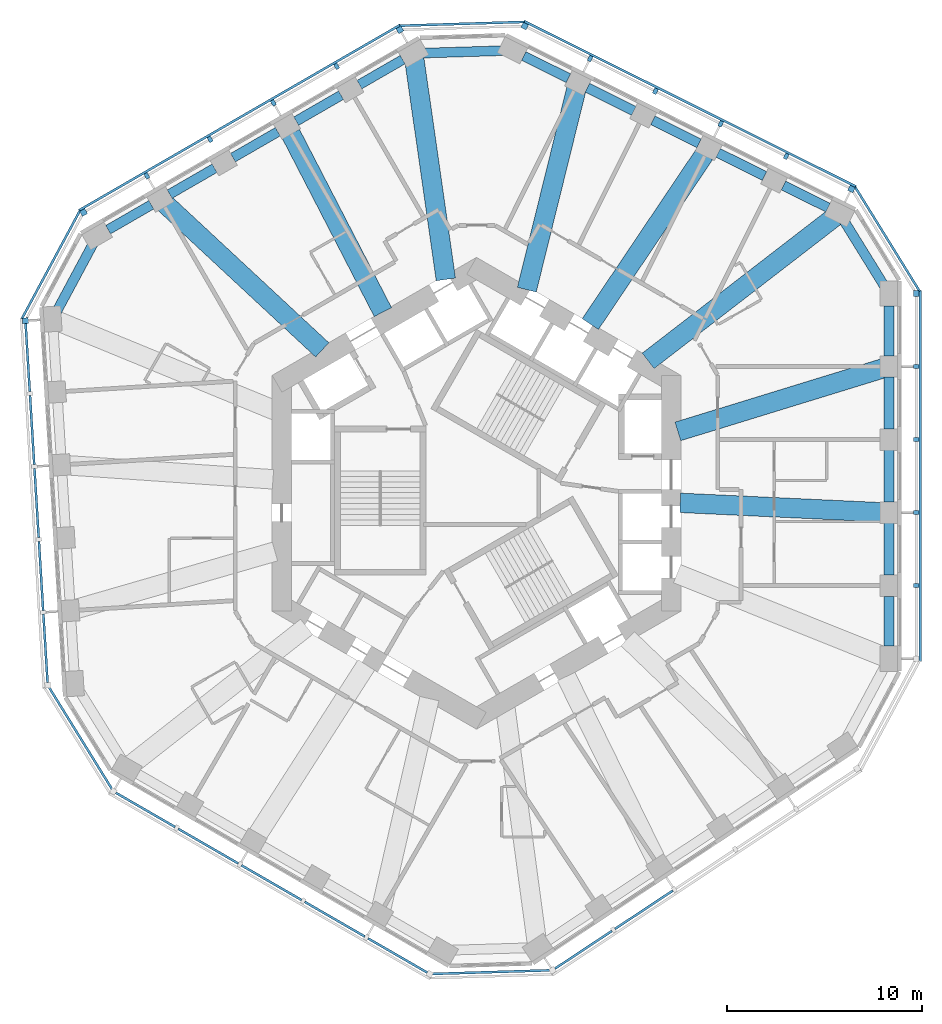
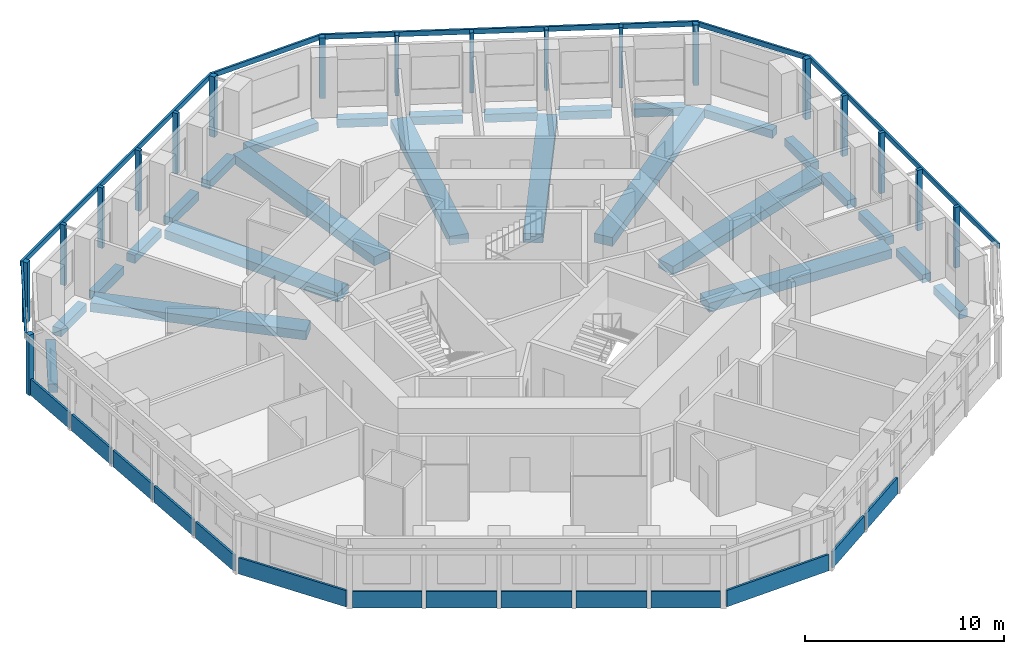
# One storey, part 2 of 11: 26 beams, 24 members, 14 plates, 11 elements without a shape of their own.
"""IFC4 building model written with IfcOpenShell, lengths in metres."""

import ifcopenshell
import ifcopenshell.guid

model = None  # the IFC model being written
_history = None  # IfcOwnerHistory: only IFC2X3 demands one
_inside = {}  # id of a spatial element -> (the spatial element, [elements in it])
_under = {}  # id of a project, library or spatial element -> (it, [spatial elements below it])
_declared = {}  # id of a project -> (the project, [libraries it declares])
_typed = {}  # id of a type object -> (the type object, [elements of that type])
_made_of = {}  # id of a material, layer set ... -> (it, [elements and type objects made of it])


def new_model(schema):
    """Start an empty IFC model of exactly this schema.

    Asked for "IFC4X3", IfcOpenShell would pick the latest addendum, in which some entities
    have other attributes; the version numbers below select the first issue.
    IFC2X3 requires an IfcOwnerHistory on every rooted entity: one is made here for all.
    """
    global model, _history
    if schema == "IFC4X3":
        model = ifcopenshell.file(schema_version=(4, 3, 0, 0))
    else:
        model = ifcopenshell.file(schema=schema)
    _inside.clear()
    _under.clear()
    _declared.clear()
    _typed.clear()
    _made_of.clear()
    _history = None
    if model.schema == "IFC2X3":
        org = make("IfcOrganization", Name="unknown")
        user = make(
            "IfcPersonAndOrganization",
            ThePerson=make("IfcPerson", FamilyName="unknown"),
            TheOrganization=org,
        )
        app = make(
            "IfcApplication",
            ApplicationDeveloper=org,
            Version="unknown",
            ApplicationFullName="unknown",
            ApplicationIdentifier="unknown",
        )
        _history = make(
            "IfcOwnerHistory",
            OwningUser=user,
            OwningApplication=app,
            ChangeAction="ADDED",
            CreationDate=0,
        )
    return model


def make(cls, **values):
    """One entity of the class cls with the attributes given. An attribute that is None is left unset."""
    return model.create_entity(
        cls, **{name: value for name, value in values.items() if value is not None}
    )


def rooted(cls, **values):
    """An entity with a GlobalId (a new one), such as an element, a storey or a relation."""
    return make(cls, GlobalId=ifcopenshell.guid.new(), OwnerHistory=_history, **values)


def si_unit(unit_type, name, prefix=None):
    """IfcSIUnit, for example si_unit("LENGTHUNIT", "METRE", prefix="MILLI")."""
    return make("IfcSIUnit", UnitType=unit_type, Prefix=prefix, Name=name)


def assignment(units):
    """IfcUnitAssignment: the units of a project."""
    return None if units is None else make("IfcUnitAssignment", Units=units)


def point(xyz):
    """IfcCartesianPoint."""
    return None if xyz is None else make("IfcCartesianPoint", Coordinates=xyz)


def direction(xyz):
    """IfcDirection."""
    return None if xyz is None else make("IfcDirection", DirectionRatios=xyz)


def frame(location, z_axis=None, x_axis=None):
    """IfcAxis2Placement3D, a coordinate frame: its origin and axes. An axis left out is left unset."""
    return make(
        "IfcAxis2Placement3D",
        Location=point(location),
        Axis=direction(z_axis),
        RefDirection=direction(x_axis),
    )


def frame_2d(location, x_axis=None):
    """IfcAxis2Placement2D, a coordinate frame in the plane: its origin and x axis."""
    return make(
        "IfcAxis2Placement2D", Location=point(location), RefDirection=direction(x_axis)
    )


def origin():
    """The frame at (0, 0, 0) with its axes left unset."""
    return frame((0.0, 0.0, 0.0))


def origin_2d():
    """The frame at (0, 0) in the plane with its x axis left unset."""
    return frame_2d((0.0, 0.0))


def place(relative_to, where):
    """IfcLocalPlacement: puts the frame where relative to a parent placement (None: the world)."""
    return make(
        "IfcLocalPlacement", PlacementRelTo=relative_to, RelativePlacement=where
    )


def context(
    kind, dimensions, precision=None, world=None, true_north=None, identifier=None
):
    """IfcGeometricRepresentationContext, for example the 3D "Model" context."""
    return make(
        "IfcGeometricRepresentationContext",
        ContextIdentifier=identifier,
        ContextType=kind,
        CoordinateSpaceDimension=dimensions,
        Precision=precision,
        WorldCoordinateSystem=world,
        TrueNorth=true_north,
    )


def subcontext(parent, identifier, kind, view, scale=None):
    """IfcGeometricRepresentationSubContext, for example "Body" below "Model"."""
    return make(
        "IfcGeometricRepresentationSubContext",
        ContextIdentifier=identifier,
        ContextType=kind,
        ParentContext=parent,
        TargetScale=scale,
        TargetView=view,
    )


def project(units=None, contexts=None):
    """IfcProject with its units and contexts."""
    return rooted(
        "IfcProject",
        Name="project",
        RepresentationContexts=contexts,
        UnitsInContext=assignment(units),
    )


def spatial(cls, under=None, at=None, **own):
    """A site, building, storey or space (cls), placed at a placement, below another one or the project."""
    s = rooted(cls, ObjectPlacement=at, **own)
    if under is not None:
        _under.setdefault(under.id(), (under, []))[1].append(s)
    return s


def profile(cls, at=None, kind="AREA", **sizes):
    """A parametric profile (cls). Its sizes go by their IFC names, for example OverallWidth=200.0."""
    return make(cls, ProfileType=kind, Position=at, **sizes)


def rectangle(**sizes):
    """IfcRectangleProfileDef."""
    return profile("IfcRectangleProfileDef", **sizes)


def extrude(swept, where, along, depth):
    """IfcExtrudedAreaSolid: the profile swept, set in the frame where, extruded along a direction by depth."""
    return make(
        "IfcExtrudedAreaSolid",
        SweptArea=swept,
        Position=where,
        ExtrudedDirection=direction(along),
        Depth=depth,
    )


def shape(context_of_items, identifier, shape_type, items):
    """IfcShapeRepresentation: the items that make up one representation, for example the "Body"."""
    return make(
        "IfcShapeRepresentation",
        ContextOfItems=context_of_items,
        RepresentationIdentifier=identifier,
        RepresentationType=shape_type,
        Items=items,
    )


def material(Name=None, Category=None):
    """IfcMaterial."""
    return make("IfcMaterial", Name=Name, Category=Category)


def layer(
    of_material, thickness, ventilated=None, Name=None, Category=None, Priority=None
):
    """IfcMaterialLayer: one layer of a wall or slab, of a material (None: an air gap)."""
    return make(
        "IfcMaterialLayer",
        Material=of_material,
        LayerThickness=thickness,
        IsVentilated=ventilated,
        Name=Name,
        Category=Category,
        Priority=Priority,
    )


def layer_set(layers, Name=None):
    """IfcMaterialLayerSet."""
    return make("IfcMaterialLayerSet", MaterialLayers=layers, LayerSetName=Name)


def material_profile(
    of_material, cross_section, Name=None, Category=None, Priority=None
):
    """IfcMaterialProfile: a cross section and its material."""
    return make(
        "IfcMaterialProfile",
        Name=Name,
        Material=of_material,
        Profile=cross_section,
        Priority=Priority,
        Category=Category,
    )


def profile_set(profiles, Name=None, composite=None):
    """IfcMaterialProfileSet."""
    return make(
        "IfcMaterialProfileSet",
        Name=Name,
        MaterialProfiles=profiles,
        CompositeProfile=composite,
    )


def made_of(thing, what):
    """Note that an element or type object is made of a material, layer set ...; save() writes the relation."""
    if what is not None:
        _made_of.setdefault(what.id(), (what, []))[1].append(thing)
    return thing


def type_object(cls, material=None, **own):
    """A type object (cls), such as IfcWallType, which elements share."""
    return made_of(rooted(cls, **own), material)


def element(
    cls,
    number,
    at=None,
    inside=None,
    cuts=None,
    type_object=None,
    material=None,
    context=None,
    identifier="Body",
    shape_type=None,
    held_by="IfcProductDefinitionShape",
    body=None,
    shapes=None,
    **own,
):
    """One element of the class cls, such as IfcWall. Its Tag is "e" and its number.

    at: its placement. inside: the storey or other place that contains it. cuts: it is an
    opening in that element (IfcRelVoidsElement). A single representation is given by context,
    identifier, shape_type and body (its items); several are given by shapes. held_by: the class
    of the entity that holds the representations. save() writes the other relations.
    """
    e = rooted(cls, Tag="e%d" % number, ObjectPlacement=at, **own)
    if body is not None:
        shapes = [shape(context, identifier, shape_type, body)]
    if shapes is not None:
        e.Representation = make(held_by, Representations=shapes)
    if inside is not None:
        _inside.setdefault(inside.id(), (inside, []))[1].append(e)
    if cuts is not None:
        rooted(
            "IfcRelVoidsElement", RelatingBuildingElement=cuts, RelatedOpeningElement=e
        )
    if type_object is not None:
        _typed.setdefault(type_object.id(), (type_object, []))[1].append(e)
    return made_of(e, material)


def aggregate(whole, parts):
    """IfcRelAggregates: a whole, such as a stair, and the parts it consists of."""
    return rooted("IfcRelAggregates", RelatingObject=whole, RelatedObjects=parts)


def save(model, path):
    """Write the relations noted so far, then the file.

    IfcRelAggregates (storeys below a building ...), IfcRelContainedInSpatialStructure (elements
    in a storey), IfcRelDefinesByType, IfcRelAssociatesMaterial and IfcRelDeclares: one each for
    every whole, place, type object, material and project.
    """
    for whole, parts in _under.values():
        aggregate(whole, parts)
    for where, things in _inside.values():
        rooted(
            "IfcRelContainedInSpatialStructure",
            RelatedElements=things,
            RelatingStructure=where,
        )
    for kind, things in _typed.values():
        rooted("IfcRelDefinesByType", RelatedObjects=things, RelatingType=kind)
    for what, things in _made_of.values():
        rooted("IfcRelAssociatesMaterial", RelatedObjects=things, RelatingMaterial=what)
    for by, libraries in _declared.values():
        rooted("IfcRelDeclares", RelatingContext=by, RelatedDefinitions=libraries)
    model.write(path)


model = new_model("IFC4")

# Units and contexts
model_context = context("Model", 3, precision=1e-05, world=origin(), true_north=direction((0.0, 1.0)))
body_context = subcontext(model_context, "Body", "Model", "MODEL_VIEW")
ifc_project = project(units=[si_unit("LENGTHUNIT", "METRE"), si_unit("AREAUNIT", "SQUARE_METRE"), si_unit("VOLUMEUNIT", "CUBIC_METRE"), si_unit("PLANEANGLEUNIT", "RADIAN"), si_unit("MASSUNIT", "GRAM", prefix="KILO")], contexts=[model_context])

# Site, building, storey
site_placement = place(None, origin())
site = spatial("IfcSite", under=ifc_project, at=site_placement, CompositionType="ELEMENT")
building_placement = place(site_placement, origin())
building = spatial("IfcBuilding", under=site, at=building_placement, Name="Vanh Sen Convention Tower", CompositionType="ELEMENT")
storey_placement = place(building_placement, frame((0.0, 0.0, 131.800048828125)))
storey = spatial("IfcBuildingStorey", under=building, at=storey_placement, Name="L32", CompositionType="ELEMENT", Elevation=131.800048828125)

# Curtain wall, member
ifc_material_1 = material(Name="Concrete C50/60", Category="concrete")
curtain_wall_type = type_object("IfcCurtainWallType", Name="Outer skin office zone", PredefinedType="NOTDEFINED", material=ifc_material_1)
curtain_wall_1_placement = place(storey_placement, origin())
curtain_wall_1 = element("IfcCurtainWall", 1, at=curtain_wall_1_placement, inside=storey, type_object=curtain_wall_type, Name="OUTER SKIN E L32", PredefinedType="NOTDEFINED")
ifc_material_profile_1 = material_profile(ifc_material_1, rectangle(XDim=0.300048828125, YDim=0.300048828125, at=origin_2d()), Name="Outer skin precast corner fin 300 x 300")
ifc_profile_set_1 = profile_set([ifc_material_profile_1], Name="Concrete C50/60")
member_type_1 = type_object("IfcMemberType", Name="Outer skin precast corner fin 300 x 300", PredefinedType="MULLION", material=ifc_profile_set_1)
member_1_placement = place(storey_placement, frame((22.60009765625, 10.26953125, 0.0), z_axis=(0.0, 0.0, 1.0), x_axis=(0.0, 1.0, 0.0)))
member_1 = element("IfcMember", 2, at=member_1_placement, type_object=member_type_1, Name="OUTER SKIN CORNER FIN 6 E L32", PredefinedType="MULLION", context=body_context, shape_type="SweptSolid", body=[
    extrude(rectangle(XDim=0.300048828125, YDim=0.300048828125, at=origin_2d()), origin(), (0.0, 0.0, 1.0), 3.699951171875),
])

# Curtain wall, members
curtain_wall_2_placement = place(storey_placement, origin())
curtain_wall_2 = element("IfcCurtainWall", 3, at=curtain_wall_2_placement, inside=storey, type_object=curtain_wall_type, Name="OUTER SKIN NE L32", PredefinedType="NOTDEFINED")
member_2_placement = place(storey_placement, frame((19.274658203125, 15.643310546875, 0.0), z_axis=(0.0, 0.0, 1.0), x_axis=(-0.894934361602, 0.44619781311, 0.0)))
member_2 = element("IfcMember", 4, at=member_2_placement, type_object=member_type_1, Name="OUTER SKIN CORNER FIN 1 NE L32", PredefinedType="MULLION", context=body_context, shape_type="SweptSolid", body=[
    extrude(rectangle(XDim=0.300048828125, YDim=0.300048828125, at=origin_2d()), origin(), (0.0, 0.0, 1.0), 3.699951171875),
])
member_3_placement = place(storey_placement, frame((2.476318359375, 24.0185546875, 0.0), z_axis=(0.0, 0.0, 1.0), x_axis=(-0.894934361602, 0.44619781311, 0.0)))
member_3 = element("IfcMember", 5, at=member_3_placement, type_object=member_type_1, Name="OUTER SKIN CORNER FIN 6 NE L32", PredefinedType="MULLION", context=body_context, shape_type="SweptSolid", body=[
    extrude(rectangle(XDim=0.300048828125, YDim=0.300048828125, at=origin_2d()), origin(), (0.0, 0.0, 1.0), 3.699951171875),
])

curtain_wall_3_placement = place(storey_placement, origin())
curtain_wall_3 = element("IfcCurtainWall", 6, at=curtain_wall_3_placement, inside=storey, type_object=curtain_wall_type, Name="OUTER SKIN NW L32", PredefinedType="NOTDEFINED")
member_4_placement = place(storey_placement, frame((-3.93798828125, 23.822509765625, 0.0), z_axis=(0.0, 0.0, 1.0), x_axis=(-0.866025403784, -0.5, 0.0)))
member_4 = element("IfcMember", 7, at=member_4_placement, type_object=member_type_1, Name="OUTER SKIN CORNER FIN 1 NW L32", PredefinedType="MULLION", context=body_context, shape_type="SweptSolid", body=[
    extrude(rectangle(XDim=0.300048828125, YDim=0.300048828125, at=origin_2d()), origin(), (0.0, 0.0, 1.0), 3.699951171875),
])
member_5_placement = place(storey_placement, frame((-20.193603515625, 14.4375, 0.0), z_axis=(0.0, 0.0, 1.0), x_axis=(-0.866025403784, -0.5, 0.0)))
member_5 = element("IfcMember", 8, at=member_5_placement, type_object=member_type_1, Name="OUTER SKIN CORNER FIN 6 NW L32", PredefinedType="MULLION", context=body_context, shape_type="SweptSolid", body=[
    extrude(rectangle(XDim=0.300048828125, YDim=0.300048828125, at=origin_2d()), origin(), (0.0, 0.0, 1.0), 3.699951171875),
])

# Curtain wall, member
curtain_wall_4_placement = place(storey_placement, origin())
curtain_wall_4 = element("IfcCurtainWall", 9, at=curtain_wall_4_placement, inside=storey, type_object=curtain_wall_type, Name="OUTER SKIN W L32", PredefinedType="NOTDEFINED")
member_6_placement = place(storey_placement, frame((-23.184814453125, 8.87060546875, 0.0), z_axis=(0.0, 0.0, 1.0), x_axis=(0.061048539535, -0.998134798422, 0.0)))
member_6 = element("IfcMember", 10, at=member_6_placement, type_object=member_type_1, Name="OUTER SKIN CORNER FIN 1 W L32", PredefinedType="MULLION", context=body_context, shape_type="SweptSolid", body=[
    extrude(rectangle(XDim=0.300048828125, YDim=0.300048828125, at=origin_2d()), origin(), (0.0, 0.0, 1.0), 3.699951171875),
])

# Member
ifc_material_profile_2 = material_profile(ifc_material_1, rectangle(XDim=0.199951171875, YDim=0.300048828125, at=origin_2d()), Name="Outer skin precast fin 200 x 300")
ifc_profile_set_2 = profile_set([ifc_material_profile_2], Name="Concrete C50/60")
member_type_2 = type_object("IfcMemberType", Name="Outer skin precast fin 200 x 300", PredefinedType="MULLION", material=ifc_profile_set_2)
member_7_placement = place(storey_placement, frame((22.60009765625, -4.746826171875, 0.0), z_axis=(0.0, 0.0, 1.0), x_axis=(0.0, 1.0, 0.0)))
member_7 = element("IfcMember", 11, at=member_7_placement, type_object=member_type_2, Name="OUTER SKIN fin 2 E L32", PredefinedType="MULLION", context=body_context, shape_type="SweptSolid", body=[
    extrude(rectangle(XDim=0.199951171875, YDim=0.300048828125, at=origin_2d()), origin(), (0.0, 0.0, 1.0), 3.699951171875),
])

member_8_placement = place(storey_placement, frame((22.60009765625, -0.992919921875, 0.0), z_axis=(0.0, 0.0, 1.0), x_axis=(0.0, 1.0, 0.0)))
member_8 = element("IfcMember", 12, at=member_8_placement, type_object=member_type_2, Name="OUTER SKIN fin 3 E L32", PredefinedType="MULLION", context=body_context, shape_type="SweptSolid", body=[
    extrude(rectangle(XDim=0.199951171875, YDim=0.300048828125, at=origin_2d()), origin(), (0.0, 0.0, 1.0), 3.699951171875),
])

member_9_placement = place(storey_placement, frame((22.60009765625, 2.76123046875, 0.0), z_axis=(0.0, 0.0, 1.0), x_axis=(0.0, 1.0, 0.0)))
member_9 = element("IfcMember", 13, at=member_9_placement, type_object=member_type_2, Name="OUTER SKIN fin 4 E L32", PredefinedType="MULLION", context=body_context, shape_type="SweptSolid", body=[
    extrude(rectangle(XDim=0.199951171875, YDim=0.300048828125, at=origin_2d()), origin(), (0.0, 0.0, 1.0), 3.699951171875),
])

member_10_placement = place(storey_placement, frame((22.60009765625, 6.515380859375, 0.0), z_axis=(0.0, 0.0, 1.0), x_axis=(0.0, 1.0, 0.0)))
member_10 = element("IfcMember", 14, at=member_10_placement, type_object=member_type_2, Name="OUTER SKIN fin 5 E L32", PredefinedType="MULLION", context=body_context, shape_type="SweptSolid", body=[
    extrude(rectangle(XDim=0.199951171875, YDim=0.300048828125, at=origin_2d()), origin(), (0.0, 0.0, 1.0), 3.699951171875),
])

member_11_placement = place(storey_placement, frame((15.9150390625, 17.318359375, 0.0), z_axis=(0.0, 0.0, 1.0), x_axis=(-0.894934361602, 0.44619781311, 0.0)))
member_11 = element("IfcMember", 15, at=member_11_placement, type_object=member_type_2, Name="OUTER SKIN fin 2 NE L32", PredefinedType="MULLION", context=body_context, shape_type="SweptSolid", body=[
    extrude(rectangle(XDim=0.199951171875, YDim=0.300048828125, at=origin_2d()), origin(), (0.0, 0.0, 1.0), 3.699951171875),
])

member_12_placement = place(storey_placement, frame((12.555419921875, 18.993408203125, 0.0), z_axis=(0.0, 0.0, 1.0), x_axis=(-0.894934361602, 0.44619781311, 0.0)))
member_12 = element("IfcMember", 16, at=member_12_placement, type_object=member_type_2, Name="OUTER SKIN fin 3 NE L32", PredefinedType="MULLION", context=body_context, shape_type="SweptSolid", body=[
    extrude(rectangle(XDim=0.199951171875, YDim=0.300048828125, at=origin_2d()), origin(), (0.0, 0.0, 1.0), 3.699951171875),
])

member_13_placement = place(storey_placement, frame((9.195556640625, 20.66845703125, 0.0), z_axis=(0.0, 0.0, 1.0), x_axis=(-0.894934361602, 0.44619781311, 0.0)))
member_13 = element("IfcMember", 17, at=member_13_placement, type_object=member_type_2, Name="OUTER SKIN fin 4 NE L32", PredefinedType="MULLION", context=body_context, shape_type="SweptSolid", body=[
    extrude(rectangle(XDim=0.199951171875, YDim=0.300048828125, at=origin_2d()), origin(), (0.0, 0.0, 1.0), 3.699951171875),
])

member_14_placement = place(storey_placement, frame((5.8359375, 22.343505859375, 0.0), z_axis=(0.0, 0.0, 1.0), x_axis=(-0.894934361602, 0.44619781311, 0.0)))
member_14 = element("IfcMember", 18, at=member_14_placement, type_object=member_type_2, Name="OUTER SKIN fin 5 NE L32", PredefinedType="MULLION", context=body_context, shape_type="SweptSolid", body=[
    extrude(rectangle(XDim=0.199951171875, YDim=0.300048828125, at=origin_2d()), origin(), (0.0, 0.0, 1.0), 3.699951171875),
])

member_15_placement = place(storey_placement, frame((-7.189208984375, 21.945556640625, 0.0), z_axis=(0.0, 0.0, 1.0), x_axis=(-0.866025403784, -0.5, 0.0)))
member_15 = element("IfcMember", 19, at=member_15_placement, type_object=member_type_2, Name="OUTER SKIN fin 2 NW L32", PredefinedType="MULLION", context=body_context, shape_type="SweptSolid", body=[
    extrude(rectangle(XDim=0.199951171875, YDim=0.300048828125, at=origin_2d()), origin(), (0.0, 0.0, 1.0), 3.699951171875),
])

member_16_placement = place(storey_placement, frame((-10.440185546875, 20.068603515625, 0.0), z_axis=(0.0, 0.0, 1.0), x_axis=(-0.866025403784, -0.5, 0.0)))
member_16 = element("IfcMember", 20, at=member_16_placement, type_object=member_type_2, Name="OUTER SKIN fin 3 NW L32", PredefinedType="MULLION", context=body_context, shape_type="SweptSolid", body=[
    extrude(rectangle(XDim=0.199951171875, YDim=0.300048828125, at=origin_2d()), origin(), (0.0, 0.0, 1.0), 3.699951171875),
])

member_17_placement = place(storey_placement, frame((-13.69140625, 18.19140625, 0.0), z_axis=(0.0, 0.0, 1.0), x_axis=(-0.866025403784, -0.5, 0.0)))
member_17 = element("IfcMember", 21, at=member_17_placement, type_object=member_type_2, Name="OUTER SKIN fin 4 NW L32", PredefinedType="MULLION", context=body_context, shape_type="SweptSolid", body=[
    extrude(rectangle(XDim=0.199951171875, YDim=0.300048828125, at=origin_2d()), origin(), (0.0, 0.0, 1.0), 3.699951171875),
])

member_18_placement = place(storey_placement, frame((-16.9423828125, 16.314453125, 0.0), z_axis=(0.0, 0.0, 1.0), x_axis=(-0.866025403784, -0.5, 0.0)))
member_18 = element("IfcMember", 22, at=member_18_placement, type_object=member_type_2, Name="OUTER SKIN fin 5 NW L32", PredefinedType="MULLION", context=body_context, shape_type="SweptSolid", body=[
    extrude(rectangle(XDim=0.199951171875, YDim=0.300048828125, at=origin_2d()), origin(), (0.0, 0.0, 1.0), 3.699951171875),
])

ifc_material_profile_3 = material_profile(ifc_material_1, rectangle(XDim=0.1201171875, YDim=0.300048828125, at=origin_2d()), Name="Outer skin precast spandrel band 300 x 120")
ifc_profile_set_3 = profile_set([ifc_material_profile_3], Name="Concrete C50/60")
member_type_3 = type_object("IfcMemberType", Name="Outer skin precast spandrel band 300 x 120", PredefinedType="USERDEFINED", material=ifc_profile_set_3)
member_19_placement = place(storey_placement, frame((22.81005859375, -8.65087890625, 3.550048828125), z_axis=(0.0, 1.0, 0.0), x_axis=(-1.0, 0.0, 0.0)))
member_19 = element("IfcMember", 23, at=member_19_placement, type_object=member_type_3, Name="OUTER SKIN spandrel band E L32", ObjectType="TRANSOM", PredefinedType="USERDEFINED", context=body_context, shape_type="SweptSolid", body=[
    extrude(rectangle(XDim=0.1201171875, YDim=0.300048828125, at=origin_2d()), origin(), (0.0, 0.0, 1.0), 19.0703125),
])

aggregate(curtain_wall_1, [member_7, member_8, member_9, member_10, member_1, member_19])

# Curtain wall, member
curtain_wall_5_placement = place(storey_placement, origin())
curtain_wall_5 = element("IfcCurtainWall", 24, at=curtain_wall_5_placement, inside=storey, type_object=curtain_wall_type, Name="OUTER SKIN CH1 L32", PredefinedType="NOTDEFINED")
member_20_placement = place(storey_placement, frame((22.778564453125, 10.3798828125, 3.550048828125), z_axis=(-0.526173726926, 0.850377098171, 0.0), x_axis=(-0.850377098171, -0.526173726926, 0.0)))
member_20 = element("IfcMember", 25, at=member_20_placement, type_object=member_type_3, Name="OUTER SKIN spandrel band CH1 L32", ObjectType="TRANSOM", PredefinedType="USERDEFINED", context=body_context, shape_type="SweptSolid", body=[
    extrude(rectangle(XDim=0.1201171875, YDim=0.300048828125, at=origin_2d()), origin(), (0.0, 0.0, 1.0), 6.319580078125),
])
aggregate(curtain_wall_5, [member_20])

# Member
member_21_placement = place(storey_placement, frame((19.502685546875, 15.764404296875, 3.550048828125), z_axis=(-0.894941234474, 0.446184027996, 0.0), x_axis=(-0.446184027996, -0.894941234474, 0.0)))
member_21 = element("IfcMember", 26, at=member_21_placement, type_object=member_type_3, Name="OUTER SKIN spandrel band NE L32", ObjectType="TRANSOM", PredefinedType="USERDEFINED", context=body_context, shape_type="SweptSolid", body=[
    extrude(rectangle(XDim=0.1201171875, YDim=0.300048828125, at=origin_2d()), origin(), (0.0, 0.0, 1.0), 19.07080078125),
])

aggregate(curtain_wall_2, [member_2, member_11, member_12, member_13, member_14, member_3, member_21])

# Curtain wall, member
curtain_wall_6_placement = place(storey_placement, origin())
curtain_wall_6 = element("IfcCurtainWall", 27, at=curtain_wall_6_placement, inside=storey, type_object=curtain_wall_type, Name="OUTER SKIN CH2 L32", PredefinedType="NOTDEFINED")
member_22_placement = place(storey_placement, frame((2.4697265625, 24.228515625, 3.550048828125), z_axis=(-0.999533221695, -0.030550592913, 0.0), x_axis=(0.030550592913, -0.999533221695, 0.0)))
member_22 = element("IfcMember", 28, at=member_22_placement, type_object=member_type_3, Name="OUTER SKIN spandrel band CH2 L32", ObjectType="TRANSOM", PredefinedType="USERDEFINED", context=body_context, shape_type="SweptSolid", body=[
    extrude(rectangle(XDim=0.1201171875, YDim=0.300048828125, at=origin_2d()), origin(), (0.0, 0.0, 1.0), 6.4169921875),
])
aggregate(curtain_wall_6, [member_22])

# Member
member_23_placement = place(storey_placement, frame((-3.9130859375, 24.07958984375, 3.550048828125), z_axis=(-0.866023136587, -0.500003926881, 0.0), x_axis=(0.500003926881, -0.866023136587, 0.0)))
member_23 = element("IfcMember", 29, at=member_23_placement, type_object=member_type_3, Name="OUTER SKIN spandrel band NW L32", ObjectType="TRANSOM", PredefinedType="USERDEFINED", context=body_context, shape_type="SweptSolid", body=[
    extrude(rectangle(XDim=0.1201171875, YDim=0.300048828125, at=origin_2d()), origin(), (0.0, 0.0, 1.0), 19.070556640625),
])

aggregate(curtain_wall_3, [member_4, member_15, member_16, member_17, member_18, member_5, member_23])

# Curtain wall, member
curtain_wall_7_placement = place(storey_placement, origin())
curtain_wall_7 = element("IfcCurtainWall", 30, at=curtain_wall_7_placement, inside=storey, type_object=curtain_wall_type, Name="OUTER SKIN CH3 L32", PredefinedType="NOTDEFINED")
member_24_placement = place(storey_placement, frame((-20.378662109375, 14.536865234375, 3.550048828125), z_axis=(-0.47333707755, -0.880881383057, 0.0), x_axis=(0.880881383057, -0.47333707755, 0.0)))
member_24 = element("IfcMember", 31, at=member_24_placement, type_object=member_type_3, Name="OUTER SKIN spandrel band CH3 L32", ObjectType="TRANSOM", PredefinedType="USERDEFINED", context=body_context, shape_type="SweptSolid", body=[
    extrude(rectangle(XDim=0.1201171875, YDim=0.300048828125, at=origin_2d()), origin(), (0.0, 0.0, 1.0), 6.3193359375),
])
aggregate(curtain_wall_7, [member_24])

# Beams
ifc_material_2 = material(Name="Concrete C50/60", Category="concrete")
ifc_material_profile_4 = material_profile(ifc_material_2, rectangle(XDim=1.0, YDim=0.550048828125, at=origin_2d()), Name="RC 1000X550")
ifc_profile_set_4 = profile_set([ifc_material_profile_4], Name="Concrete C50/60")
beam_type_1 = type_object("IfcBeamType", Name="Radial floor beam 1000 x 550", PredefinedType="BEAM", material=ifc_profile_set_4)
beam_1_placement = place(storey_placement, frame((20.7783203125, -0.97314453125, -0.554931640625), z_axis=(-0.998905248477, 0.046779317705, 0.0), x_axis=(-0.046779317705, -0.998905248477, 0.0)))
element("IfcBeam", 32, at=beam_1_placement, inside=storey, type_object=beam_type_1, Name="Radial beam 02 L32", PredefinedType="BEAM", context=body_context, shape_type="SweptSolid", body=[
    extrude(rectangle(XDim=1.0, YDim=0.550048828125, at=origin_2d()), origin(), (0.0, 0.0, 1.0), 10.31787109375),
])
beam_2_placement = place(storey_placement, frame((20.97021484375, 6.44482421875, -0.554931640625), z_axis=(-0.955876339667, -0.293769336835, 0.0), x_axis=(0.293769336835, -0.955876339667, 0.0)))
element("IfcBeam", 33, at=beam_2_placement, inside=storey, type_object=beam_type_1, Name="Radial beam 03 L32", PredefinedType="BEAM", context=body_context, shape_type="SweptSolid", body=[
    extrude(rectangle(XDim=1.0, YDim=0.550048828125, at=origin_2d()), origin(), (0.0, 0.0, 1.0), 11.112060546875),
])
beam_3_placement = place(storey_placement, frame((18.449951171875, 14.236083984375, -0.554931640625), z_axis=(-0.79170818872, -0.610899454832, 0.0), x_axis=(0.610899454832, -0.79170818872, 0.0)))
element("IfcBeam", 34, at=beam_3_placement, inside=storey, type_object=beam_type_1, Name="Radial beam 04 L32", PredefinedType="BEAM", context=body_context, shape_type="SweptSolid", body=[
    extrude(rectangle(XDim=1.0, YDim=0.550048828125, at=origin_2d()), origin(), (0.0, 0.0, 1.0), 12.161865234375),
])
beam_4_placement = place(storey_placement, frame((11.716552734375, 17.422119140625, -0.554931640625), z_axis=(-0.558062126182, -0.829799170475, 0.0), x_axis=(0.829799170475, -0.558062126182, 0.0)))
element("IfcBeam", 35, at=beam_4_placement, inside=storey, type_object=beam_type_1, Name="Radial beam 05 L32", PredefinedType="BEAM", context=body_context, shape_type="SweptSolid", body=[
    extrude(rectangle(XDim=1.0, YDim=0.550048828125, at=origin_2d()), origin(), (0.0, 0.0, 1.0), 10.510009765625),
])
beam_5_placement = place(storey_placement, frame((5.144287109375, 20.81982421875, -0.554931640625), z_axis=(-0.239868649212, -0.970805351821, 0.0), x_axis=(0.970805351821, -0.239868649212, 0.0)))
element("IfcBeam", 36, at=beam_5_placement, inside=storey, type_object=beam_type_1, Name="Radial beam 06 L32", PredefinedType="BEAM", context=body_context, shape_type="SweptSolid", body=[
    extrude(rectangle(XDim=1.0, YDim=0.550048828125, at=origin_2d()), origin(), (0.0, 0.0, 1.0), 10.66552734375),
])
beam_6_placement = place(storey_placement, frame((-3.1982421875, 22.333740234375, -0.554931640625), z_axis=(0.141740638319, -0.989903829394, 0.0), x_axis=(0.989903829394, 0.141740638319, 0.0)))
element("IfcBeam", 37, at=beam_6_placement, inside=storey, type_object=beam_type_1, Name="Radial beam 07 L32", PredefinedType="BEAM", context=body_context, shape_type="SweptSolid", body=[
    extrude(rectangle(XDim=1.0, YDim=0.550048828125, at=origin_2d()), origin(), (0.0, 0.0, 1.0), 11.454345703125),
])
beam_7_placement = place(storey_placement, frame((-9.54638671875, 18.481201171875, -0.554931640625), z_axis=(0.458939431593, -0.888467556036, 0.0), x_axis=(0.888467556036, 0.458939431593, 0.0)))
element("IfcBeam", 38, at=beam_7_placement, inside=storey, type_object=beam_type_1, Name="Radial beam 08 L32", PredefinedType="BEAM", context=body_context, shape_type="SweptSolid", body=[
    extrude(rectangle(XDim=1.0, YDim=0.550048828125, at=origin_2d()), origin(), (0.0, 0.0, 1.0), 10.318115234375),
])
beam_8_placement = place(storey_placement, frame((-16.06640625, 14.9384765625, -0.554931640625), z_axis=(0.732344952361, -0.680933822594, 0.0), x_axis=(0.680933822594, 0.732344952361, 0.0)))
element("IfcBeam", 39, at=beam_8_placement, inside=storey, type_object=beam_type_1, Name="Radial beam 09 L32", PredefinedType="BEAM", context=body_context, shape_type="SweptSolid", body=[
    extrude(rectangle(XDim=1.0, YDim=0.550048828125, at=origin_2d()), origin(), (0.0, 0.0, 1.0), 11.112060546875),
])
ifc_material_profile_5 = material_profile(ifc_material_2, rectangle(XDim=0.5, YDim=0.5, at=origin_2d()), Name="RC 500X500")
ifc_profile_set_5 = profile_set([ifc_material_profile_5], Name="Concrete C50/60")
beam_type_2 = type_object("IfcBeamType", Name="Spandrel beam 500 x 500", PredefinedType="SPANDREL", material=ifc_profile_set_5)
beam_9_placement = place(storey_placement, frame((21.199951171875, -7.85595703125, -0.530029296875), z_axis=(0.0, 1.0, 0.0), x_axis=(-1.0, 0.0, 0.0)))
element("IfcBeam", 40, at=beam_9_placement, inside=storey, type_object=beam_type_2, Name="Spandrel beam 01 L32", PredefinedType="SPANDREL", context=body_context, shape_type="SweptSolid", body=[
    extrude(rectangle(XDim=0.5, YDim=0.5, at=origin_2d()), origin(), (0.0, 0.0, 1.0), 2.56396484375),
])
for number, where, z_axis, x_axis, name in (
    (41, (21.199951171875, -4.201904296875, -0.530029296875), (0.0, 1.0, 0.0), (-1.0, 0.0, 0.0), "Spandrel beam 02 L32"),
    (42, (21.199951171875, -0.44775390625, -0.530029296875), (0.0, 1.0, 0.0), (-1.0, 0.0, 0.0), "Spandrel beam 03 L32"),
    (43, (21.199951171875, 3.306396484375, -0.530029296875), (0.0, 1.0, 0.0), (-1.0, 0.0, 0.0), "Spandrel beam 04 L32"),
):
    element("IfcBeam", number, at=place(storey_placement, frame(where, z_axis=z_axis, x_axis=x_axis)), inside=storey, type_object=beam_type_2, Name=name, PredefinedType="SPANDREL", context=body_context, shape_type="SweptSolid", body=[
        extrude(rectangle(XDim=0.5, YDim=0.5, at=origin_2d()), origin(), (0.0, 0.0, 1.0), 2.6640625),
    ])
beam_10_placement = place(storey_placement, frame((21.199951171875, 7.060302734375, -0.530029296875), z_axis=(0.0, 1.0, 0.0), x_axis=(-1.0, 0.0, 0.0)))
element("IfcBeam", 44, at=beam_10_placement, inside=storey, type_object=beam_type_2, Name="Spandrel beam 05 L32", PredefinedType="SPANDREL", context=body_context, shape_type="SweptSolid", body=[
    extrude(rectangle(XDim=0.5, YDim=0.5, at=origin_2d()), origin(), (0.0, 0.0, 1.0), 2.564208984375),
])
beam_11_placement = place(storey_placement, frame((20.965087890625, 10.64892578125, -0.530029296875), z_axis=(-0.526180283514, 0.850373041224, 0.0), x_axis=(-0.850373041224, -0.526180283514, 0.0)))
element("IfcBeam", 45, at=beam_11_placement, inside=storey, type_object=beam_type_2, Name="Spandrel beam 06 L32", PredefinedType="SPANDREL", context=body_context, shape_type="SweptSolid", body=[
    extrude(rectangle(XDim=0.5, YDim=0.5, at=origin_2d()), origin(), (0.0, 0.0, 1.0), 3.95361328125),
])
beam_12_placement = place(storey_placement, frame((18.07275390625, 14.67822265625, -0.530029296875), z_axis=(-0.894940769459, 0.446184960707, 0.0), x_axis=(-0.446184960707, -0.894940769459, 0.0)))
element("IfcBeam", 46, at=beam_12_placement, inside=storey, type_object=beam_type_2, Name="Spandrel beam 07 L32", PredefinedType="SPANDREL", context=body_context, shape_type="SweptSolid", body=[
    extrude(rectangle(XDim=0.5, YDim=0.5, at=origin_2d()), origin(), (0.0, 0.0, 1.0), 2.56396484375),
])
for number, where, z_axis, x_axis, name in (
    (47, (14.802490234375, 16.30859375, -0.530029296875), (-0.894939776695, 0.446186951948, 0.0), (-0.446186951948, -0.894939776695, 0.0), "Spandrel beam 08 L32"),
    (48, (11.44287109375, 17.983642578125, -0.530029296875), (-0.894939776695, 0.446186951948, 0.0), (-0.446186951948, -0.894939776695, 0.0), "Spandrel beam 09 L32"),
    (49, (8.083251953125, 19.65869140625, -0.530029296875), (-0.894939776695, 0.446186951948, 0.0), (-0.446186951948, -0.894939776695, 0.0), "Spandrel beam 10 L32"),
):
    element("IfcBeam", number, at=place(storey_placement, frame(where, z_axis=z_axis, x_axis=x_axis)), inside=storey, type_object=beam_type_2, Name=name, PredefinedType="SPANDREL", context=body_context, shape_type="SweptSolid", body=[
        extrude(rectangle(XDim=0.5, YDim=0.5, at=origin_2d()), origin(), (0.0, 0.0, 1.0), 2.6640625),
    ])
beam_13_placement = place(storey_placement, frame((4.723388671875, 21.333984375, -0.530029296875), z_axis=(-0.894978788678, 0.446108695069, 0.0), x_axis=(-0.446108695069, -0.894978788678, 0.0)))
element("IfcBeam", 50, at=beam_13_placement, inside=storey, type_object=beam_type_2, Name="Spandrel beam 11 L32", PredefinedType="SPANDREL", context=body_context, shape_type="SweptSolid", body=[
    extrude(rectangle(XDim=0.5, YDim=0.5, at=origin_2d()), origin(), (0.0, 0.0, 1.0), 2.56396484375),
])
beam_14_placement = place(storey_placement, frame((1.371337890625, 22.7509765625, -0.530029296875), z_axis=(-0.999534922792, -0.030494886783, 0.0), x_axis=(0.030494886783, -0.999534922792, 0.0)))
element("IfcBeam", 51, at=beam_14_placement, inside=storey, type_object=beam_type_2, Name="Spandrel beam 12 L32", PredefinedType="SPANDREL", context=body_context, shape_type="SweptSolid", body=[
    extrude(rectangle(XDim=0.5, YDim=0.5, at=origin_2d()), origin(), (0.0, 0.0, 1.0), 4.131103515625),
])
beam_15_placement = place(storey_placement, frame((-3.79638671875, 22.28759765625, -0.530029296875), z_axis=(-0.866049234614, -0.499958721521, 0.0), x_axis=(0.499958721521, -0.866049234614, 0.0)))
element("IfcBeam", 52, at=beam_15_placement, inside=storey, type_object=beam_type_2, Name="Spandrel beam 13 L32", PredefinedType="SPANDREL", context=body_context, shape_type="SweptSolid", body=[
    extrude(rectangle(XDim=0.5, YDim=0.5, at=origin_2d()), origin(), (0.0, 0.0, 1.0), 2.564208984375),
])
beam_16_placement = place(storey_placement, frame((-6.961181640625, 20.460693359375, -0.530029296875), z_axis=(-0.866023818221, -0.500002746266, 0.0), x_axis=(0.500002746266, -0.866023818221, 0.0)))
element("IfcBeam", 53, at=beam_16_placement, inside=storey, type_object=beam_type_2, Name="Spandrel beam 14 L32", PredefinedType="SPANDREL", context=body_context, shape_type="SweptSolid", body=[
    extrude(rectangle(XDim=0.5, YDim=0.5, at=origin_2d()), origin(), (0.0, 0.0, 1.0), 2.6640625),
])
beam_17_placement = place(storey_placement, frame((-10.212158203125, 18.58349609375, -0.530029296875), z_axis=(-0.866063499924, -0.499934009745, 0.0), x_axis=(0.499934009745, -0.866063499924, 0.0)))
element("IfcBeam", 54, at=beam_17_placement, inside=storey, type_object=beam_type_2, Name="Spandrel beam 15 L32", PredefinedType="SPANDREL", context=body_context, shape_type="SweptSolid", body=[
    extrude(rectangle(XDim=0.5, YDim=0.5, at=origin_2d()), origin(), (0.0, 0.0, 1.0), 2.663818359375),
])
beam_18_placement = place(storey_placement, frame((-13.46337890625, 16.70654296875, -0.530029296875), z_axis=(-0.866023818221, -0.500002746266, 0.0), x_axis=(0.500002746266, -0.866023818221, 0.0)))
element("IfcBeam", 55, at=beam_18_placement, inside=storey, type_object=beam_type_2, Name="Spandrel beam 16 L32", PredefinedType="SPANDREL", context=body_context, shape_type="SweptSolid", body=[
    extrude(rectangle(XDim=0.5, YDim=0.5, at=origin_2d()), origin(), (0.0, 0.0, 1.0), 2.6640625),
])
beam_19_placement = place(storey_placement, frame((-16.714599609375, 14.82958984375, -0.530029296875), z_axis=(-0.866025432576, -0.499999950132, 0.0), x_axis=(0.499999950132, -0.866025432576, 0.0)))
element("IfcBeam", 56, at=beam_19_placement, inside=storey, type_object=beam_type_2, Name="Spandrel beam 17 L32", PredefinedType="SPANDREL", context=body_context, shape_type="SweptSolid", body=[
    extrude(rectangle(XDim=0.5, YDim=0.5, at=origin_2d()), origin(), (0.0, 0.0, 1.0), 2.56396484375),
])
beam_20_placement = place(storey_placement, frame((-19.704833984375, 12.83203125, -0.530029296875), z_axis=(-0.473300582372, -0.880900992579, 0.0), x_axis=(0.880900992579, -0.473300582372, 0.0)))
element("IfcBeam", 57, at=beam_20_placement, inside=storey, type_object=beam_type_2, Name="Spandrel beam 18 L32", PredefinedType="SPANDREL", context=body_context, shape_type="SweptSolid", body=[
    extrude(rectangle(XDim=0.5, YDim=0.5, at=origin_2d()), origin(), (0.0, 0.0, 1.0), 3.953857421875),
])

# Plate
ifc_layer = layer(ifc_material_1, 0.1201171875)
ifc_layer_set = layer_set([ifc_layer], Name="Concrete C50/60")
plate_type = type_object("IfcPlateType", Name="Outer skin precast screen panel 120", PredefinedType="CURTAIN_PANEL", material=ifc_layer_set)
plate_1_placement = place(storey_placement, frame((-23.068603515625, 6.97216796875, 0.0), z_axis=(0.0, 0.0, 1.0), x_axis=(0.061053765756, -0.998134478759, 0.0)))
plate_1 = element("IfcPlate", 58, at=plate_1_placement, type_object=plate_type, Name="OUTER SKIN screen panel W-1", PredefinedType="CURTAIN_PANEL", context=body_context, shape_type="SweptSolid", body=[
    extrude(rectangle(XDim=3.504150390625, YDim=0.1201171875, at=origin_2d()), origin(), (0.0, 0.0, 1.0), 1.0),
])

plate_2_placement = place(storey_placement, frame((-22.841064453125, 3.25, 0.0), z_axis=(0.0, 0.0, 1.0), x_axis=(0.061052023682, -0.998134585316, 0.0)))
plate_2 = element("IfcPlate", 59, at=plate_2_placement, type_object=plate_type, Name="OUTER SKIN screen panel W-2", PredefinedType="CURTAIN_PANEL", context=body_context, shape_type="SweptSolid", body=[
    extrude(rectangle(XDim=3.55419921875, YDim=0.1201171875, at=origin_2d()), origin(), (0.0, 0.0, 1.0), 1.0),
])

plate_3_placement = place(storey_placement, frame((-22.61181640625, -0.4970703125, 0.0), z_axis=(0.0, 0.0, 1.0), x_axis=(0.061053765756, -0.998134478759, 0.0)))
plate_3 = element("IfcPlate", 60, at=plate_3_placement, type_object=plate_type, Name="OUTER SKIN screen panel W-3", PredefinedType="CURTAIN_PANEL", context=body_context, shape_type="SweptSolid", body=[
    extrude(rectangle(XDim=3.55419921875, YDim=0.1201171875, at=origin_2d()), origin(), (0.0, 0.0, 1.0), 1.0),
])

plate_4_placement = place(storey_placement, frame((-22.382568359375, -4.244140625, 0.0), z_axis=(0.0, 0.0, 1.0), x_axis=(0.061025892559, -0.998136183312, 0.0)))
plate_4 = element("IfcPlate", 61, at=plate_4_placement, type_object=plate_type, Name="OUTER SKIN screen panel W-4", PredefinedType="CURTAIN_PANEL", context=body_context, shape_type="SweptSolid", body=[
    extrude(rectangle(XDim=3.55419921875, YDim=0.1201171875, at=origin_2d()), origin(), (0.0, 0.0, 1.0), 1.0),
])

plate_5_placement = place(storey_placement, frame((-22.155029296875, -7.96630859375, 0.0), z_axis=(0.0, 0.0, 1.0), x_axis=(0.061053765756, -0.998134478759, 0.0)))
plate_5 = element("IfcPlate", 62, at=plate_5_placement, type_object=plate_type, Name="OUTER SKIN screen panel W-5", PredefinedType="CURTAIN_PANEL", context=body_context, shape_type="SweptSolid", body=[
    extrude(rectangle(XDim=3.504150390625, YDim=0.1201171875, at=origin_2d()), origin(), (0.0, 0.0, 1.0), 1.0),
])

aggregate(curtain_wall_4, [member_6, plate_1, plate_2, plate_3, plate_4, plate_5])

# Curtain wall, plate
curtain_wall_8_placement = place(storey_placement, origin())
curtain_wall_8 = element("IfcCurtainWall", 63, at=curtain_wall_8_placement, inside=storey, type_object=curtain_wall_type, Name="OUTER SKIN CH4 L32", PredefinedType="NOTDEFINED")
plate_6_placement = place(storey_placement, frame((-20.3505859375, -12.59326171875, 0.0), z_axis=(0.0, 0.0, 1.0), x_axis=(0.526218376078, -0.850349469734, 0.0)))
plate_6 = element("IfcPlate", 64, at=plate_6_placement, type_object=plate_type, Name="OUTER SKIN screen panel CH4-1", PredefinedType="CURTAIN_PANEL", context=body_context, shape_type="SweptSolid", body=[
    extrude(rectangle(XDim=6.1171875, YDim=0.1201171875, at=origin_2d()), origin(), (0.0, 0.0, 1.0), 1.0),
])
aggregate(curtain_wall_8, [plate_6])

# Curtain wall, plates
curtain_wall_9_placement = place(storey_placement, origin())
curtain_wall_9 = element("IfcCurtainWall", 65, at=curtain_wall_9_placement, inside=storey, type_object=curtain_wall_type, Name="OUTER SKIN SW L32", PredefinedType="NOTDEFINED")
plate_7_placement = place(storey_placement, frame((-17.014892578125, -16.272705078125, 0.0), z_axis=(0.0, 0.0, 1.0), x_axis=(0.86602365845, -0.500003022996, 0.0)))
plate_7 = element("IfcPlate", 66, at=plate_7_placement, type_object=plate_type, Name="OUTER SKIN screen panel SW-1", PredefinedType="CURTAIN_PANEL", context=body_context, shape_type="SweptSolid", body=[
    extrude(rectangle(XDim=3.504150390625, YDim=0.1201171875, at=origin_2d()), origin(), (0.0, 0.0, 1.0), 1.0),
])
plate_8_placement = place(storey_placement, frame((-13.785400390625, -18.13720703125, 0.0), z_axis=(0.0, 0.0, 1.0), x_axis=(0.866028021766, -0.499995465495, 0.0)))
plate_8 = element("IfcPlate", 67, at=plate_8_placement, type_object=plate_type, Name="OUTER SKIN screen panel SW-2", PredefinedType="CURTAIN_PANEL", context=body_context, shape_type="SweptSolid", body=[
    extrude(rectangle(XDim=3.553955078125, YDim=0.1201171875, at=origin_2d()), origin(), (0.0, 0.0, 1.0), 1.0),
])
plate_9_placement = place(storey_placement, frame((-10.5341796875, -20.014404296875, 0.0), z_axis=(0.0, 0.0, 1.0), x_axis=(0.86602365845, -0.500003022996, 0.0)))
plate_9 = element("IfcPlate", 68, at=plate_9_placement, type_object=plate_type, Name="OUTER SKIN screen panel SW-3", PredefinedType="CURTAIN_PANEL", context=body_context, shape_type="SweptSolid", body=[
    extrude(rectangle(XDim=3.55419921875, YDim=0.1201171875, at=origin_2d()), origin(), (0.0, 0.0, 1.0), 1.0),
])
plate_10_placement = place(storey_placement, frame((-7.283203125, -21.891357421875, 0.0), z_axis=(0.0, 0.0, 1.0), x_axis=(0.866016677006, -0.500015114919, 0.0)))
plate_10 = element("IfcPlate", 69, at=plate_10_placement, type_object=plate_type, Name="OUTER SKIN screen panel SW-4", PredefinedType="CURTAIN_PANEL", context=body_context, shape_type="SweptSolid", body=[
    extrude(rectangle(XDim=3.55419921875, YDim=0.1201171875, at=origin_2d()), origin(), (0.0, 0.0, 1.0), 1.0),
])
plate_11_placement = place(storey_placement, frame((-4.0537109375, -23.755859375, 0.0), z_axis=(0.0, 0.0, 1.0), x_axis=(0.866035002936, -0.499983373414, 0.0)))
plate_11 = element("IfcPlate", 70, at=plate_11_placement, type_object=plate_type, Name="OUTER SKIN screen panel SW-5", PredefinedType="CURTAIN_PANEL", context=body_context, shape_type="SweptSolid", body=[
    extrude(rectangle(XDim=3.504150390625, YDim=0.1201171875, at=origin_2d()), origin(), (0.0, 0.0, 1.0), 1.0),
])
aggregate(curtain_wall_9, [plate_7, plate_8, plate_9, plate_10, plate_11])

# Curtain wall, plate
curtain_wall_10_placement = place(storey_placement, origin())
curtain_wall_10 = element("IfcCurtainWall", 71, at=curtain_wall_10_placement, inside=storey, type_object=curtain_wall_type, Name="OUTER SKIN CH5 L32", PredefinedType="NOTDEFINED")
plate_12_placement = place(storey_placement, frame((0.751953125, -24.6103515625, 0.0), z_axis=(0.0, 0.0, 1.0), x_axis=(0.999533537535, 0.030540257725, 0.0)))
plate_12 = element("IfcPlate", 72, at=plate_12_placement, type_object=plate_type, Name="OUTER SKIN screen panel CH5-1", PredefinedType="CURTAIN_PANEL", context=body_context, shape_type="SweptSolid", body=[
    extrude(rectangle(XDim=6.019287109375, YDim=0.1201171875, at=origin_2d()), origin(), (0.0, 0.0, 1.0), 1.0),
])
aggregate(curtain_wall_10, [plate_12])

# Curtain wall, plates
curtain_wall_11_placement = place(storey_placement, origin())
curtain_wall_11 = element("IfcCurtainWall", 73, at=curtain_wall_11_placement, inside=storey, type_object=curtain_wall_type, Name="OUTER SKIN SE L32", PredefinedType="NOTDEFINED")
plate_13_placement = place(storey_placement, frame((5.49609375, -23.464111328125, 0.0), z_axis=(0.0, 0.0, 1.0), x_axis=(0.833889675294, 0.551931163677, 0.0)))
plate_13 = element("IfcPlate", 74, at=plate_13_placement, type_object=plate_type, Name="OUTER SKIN screen panel SE-1", PredefinedType="CURTAIN_PANEL", context=body_context, shape_type="SweptSolid", body=[
    extrude(rectangle(XDim=3.504150390625, YDim=0.1201171875, at=origin_2d()), origin(), (0.0, 0.0, 1.0), 1.0),
])
plate_14_placement = place(storey_placement, frame((8.60595703125, -21.406005859375, 0.0), z_axis=(0.0, 0.0, 1.0), x_axis=(0.833889675294, 0.551931163677, 0.0)))
plate_14 = element("IfcPlate", 75, at=plate_14_placement, type_object=plate_type, Name="OUTER SKIN screen panel SE-2", PredefinedType="CURTAIN_PANEL", context=body_context, shape_type="SweptSolid", body=[
    extrude(rectangle(XDim=3.55419921875, YDim=0.1201171875, at=origin_2d()), origin(), (0.0, 0.0, 1.0), 1.0),
])
aggregate(curtain_wall_11, [plate_13, plate_14])

save(model, "model.ifc")
